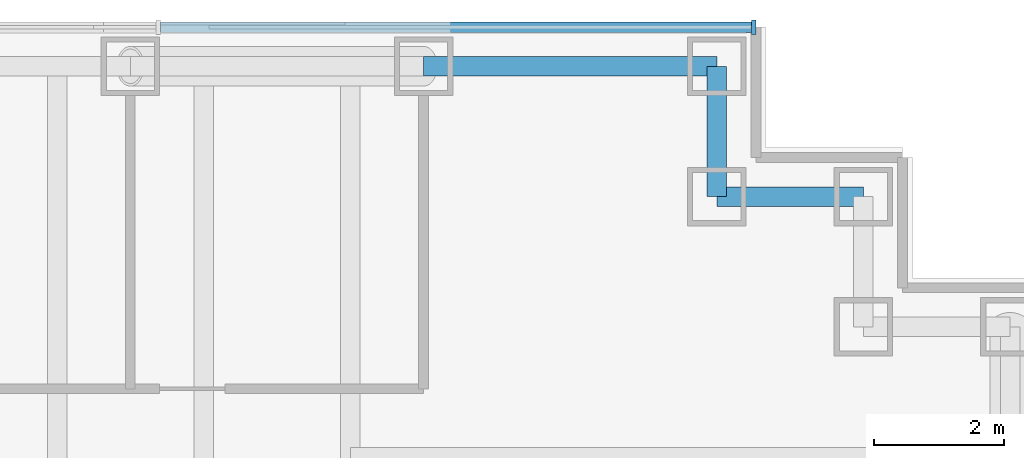
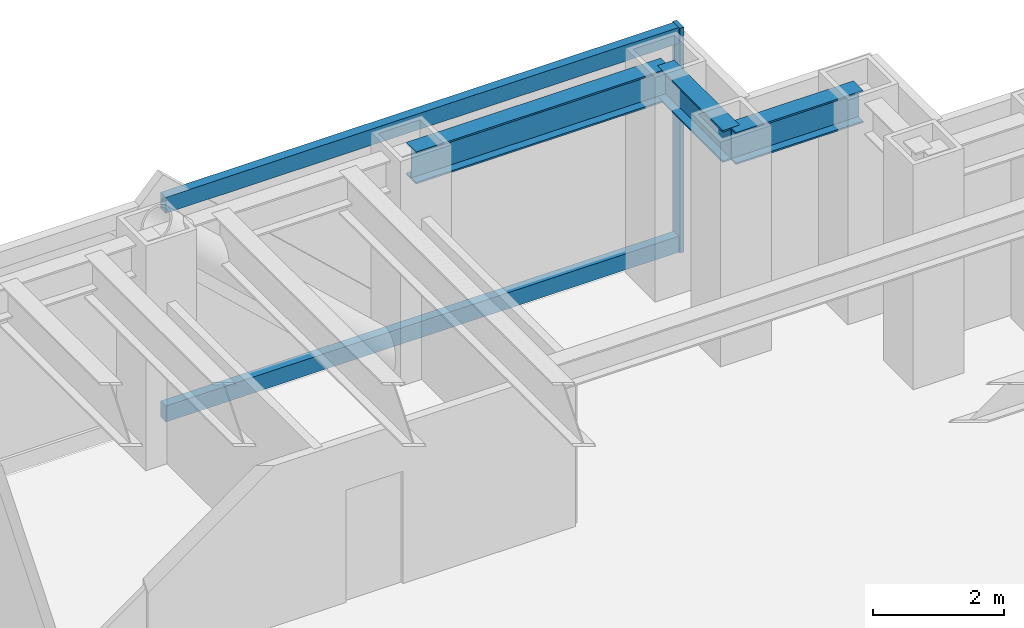
# One storey, part 9 of 16: 3 beams, 3 members, 1 element without a shape of its own.
"""IFC4 building model written with IfcOpenShell, lengths in metres."""

import ifcopenshell
import ifcopenshell.guid

model = None  # the IFC model being written
_history = None  # IfcOwnerHistory: only IFC2X3 demands one
_inside = {}  # id of a spatial element -> (the spatial element, [elements in it])
_under = {}  # id of a project, library or spatial element -> (it, [spatial elements below it])
_declared = {}  # id of a project -> (the project, [libraries it declares])
_typed = {}  # id of a type object -> (the type object, [elements of that type])
_made_of = {}  # id of a material, layer set ... -> (it, [elements and type objects made of it])


def new_model(schema):
    """Start an empty IFC model of exactly this schema.

    Asked for "IFC4X3", IfcOpenShell would pick the latest addendum, in which some entities
    have other attributes; the version numbers below select the first issue.
    IFC2X3 requires an IfcOwnerHistory on every rooted entity: one is made here for all.
    """
    global model, _history
    if schema == "IFC4X3":
        model = ifcopenshell.file(schema_version=(4, 3, 0, 0))
    else:
        model = ifcopenshell.file(schema=schema)
    _inside.clear()
    _under.clear()
    _declared.clear()
    _typed.clear()
    _made_of.clear()
    _history = None
    if model.schema == "IFC2X3":
        org = make("IfcOrganization", Name="unknown")
        user = make(
            "IfcPersonAndOrganization",
            ThePerson=make("IfcPerson", FamilyName="unknown"),
            TheOrganization=org,
        )
        app = make(
            "IfcApplication",
            ApplicationDeveloper=org,
            Version="unknown",
            ApplicationFullName="unknown",
            ApplicationIdentifier="unknown",
        )
        _history = make(
            "IfcOwnerHistory",
            OwningUser=user,
            OwningApplication=app,
            ChangeAction="ADDED",
            CreationDate=0,
        )
    return model


def make(cls, **values):
    """One entity of the class cls with the attributes given. An attribute that is None is left unset."""
    return model.create_entity(
        cls, **{name: value for name, value in values.items() if value is not None}
    )


def rooted(cls, **values):
    """An entity with a GlobalId (a new one), such as an element, a storey or a relation."""
    return make(cls, GlobalId=ifcopenshell.guid.new(), OwnerHistory=_history, **values)


def si_unit(unit_type, name, prefix=None):
    """IfcSIUnit, for example si_unit("LENGTHUNIT", "METRE", prefix="MILLI")."""
    return make("IfcSIUnit", UnitType=unit_type, Prefix=prefix, Name=name)


def assignment(units):
    """IfcUnitAssignment: the units of a project."""
    return None if units is None else make("IfcUnitAssignment", Units=units)


def point(xyz):
    """IfcCartesianPoint."""
    return None if xyz is None else make("IfcCartesianPoint", Coordinates=xyz)


def direction(xyz):
    """IfcDirection."""
    return None if xyz is None else make("IfcDirection", DirectionRatios=xyz)


def frame(location, z_axis=None, x_axis=None):
    """IfcAxis2Placement3D, a coordinate frame: its origin and axes. An axis left out is left unset."""
    return make(
        "IfcAxis2Placement3D",
        Location=point(location),
        Axis=direction(z_axis),
        RefDirection=direction(x_axis),
    )


def frame_2d(location, x_axis=None):
    """IfcAxis2Placement2D, a coordinate frame in the plane: its origin and x axis."""
    return make(
        "IfcAxis2Placement2D", Location=point(location), RefDirection=direction(x_axis)
    )


def origin():
    """The frame at (0, 0, 0) with its axes left unset."""
    return frame((0.0, 0.0, 0.0))


def origin_2d():
    """The frame at (0, 0) in the plane with its x axis left unset."""
    return frame_2d((0.0, 0.0))


def place(relative_to, where):
    """IfcLocalPlacement: puts the frame where relative to a parent placement (None: the world)."""
    return make(
        "IfcLocalPlacement", PlacementRelTo=relative_to, RelativePlacement=where
    )


def context(
    kind, dimensions, precision=None, world=None, true_north=None, identifier=None
):
    """IfcGeometricRepresentationContext, for example the 3D "Model" context."""
    return make(
        "IfcGeometricRepresentationContext",
        ContextIdentifier=identifier,
        ContextType=kind,
        CoordinateSpaceDimension=dimensions,
        Precision=precision,
        WorldCoordinateSystem=world,
        TrueNorth=true_north,
    )


def subcontext(parent, identifier, kind, view, scale=None):
    """IfcGeometricRepresentationSubContext, for example "Body" below "Model"."""
    return make(
        "IfcGeometricRepresentationSubContext",
        ContextIdentifier=identifier,
        ContextType=kind,
        ParentContext=parent,
        TargetScale=scale,
        TargetView=view,
    )


def project(units=None, contexts=None):
    """IfcProject with its units and contexts."""
    return rooted(
        "IfcProject",
        Name="project",
        RepresentationContexts=contexts,
        UnitsInContext=assignment(units),
    )


def spatial(cls, under=None, at=None, **own):
    """A site, building, storey or space (cls), placed at a placement, below another one or the project."""
    s = rooted(cls, ObjectPlacement=at, **own)
    if under is not None:
        _under.setdefault(under.id(), (under, []))[1].append(s)
    return s


def profile(cls, at=None, kind="AREA", **sizes):
    """A parametric profile (cls). Its sizes go by their IFC names, for example OverallWidth=200.0."""
    return make(cls, ProfileType=kind, Position=at, **sizes)


def rectangle(**sizes):
    """IfcRectangleProfileDef."""
    return profile("IfcRectangleProfileDef", **sizes)


def i_section(**sizes):
    """IfcIShapeProfileDef."""
    return profile("IfcIShapeProfileDef", **sizes)


def extrude(swept, where, along, depth):
    """IfcExtrudedAreaSolid: the profile swept, set in the frame where, extruded along a direction by depth."""
    return make(
        "IfcExtrudedAreaSolid",
        SweptArea=swept,
        Position=where,
        ExtrudedDirection=direction(along),
        Depth=depth,
    )


def shape(context_of_items, identifier, shape_type, items):
    """IfcShapeRepresentation: the items that make up one representation, for example the "Body"."""
    return make(
        "IfcShapeRepresentation",
        ContextOfItems=context_of_items,
        RepresentationIdentifier=identifier,
        RepresentationType=shape_type,
        Items=items,
    )


def material(Name=None, Category=None):
    """IfcMaterial."""
    return make("IfcMaterial", Name=Name, Category=Category)


def material_profile(
    of_material, cross_section, Name=None, Category=None, Priority=None
):
    """IfcMaterialProfile: a cross section and its material."""
    return make(
        "IfcMaterialProfile",
        Name=Name,
        Material=of_material,
        Profile=cross_section,
        Priority=Priority,
        Category=Category,
    )


def profile_set(profiles, Name=None, composite=None):
    """IfcMaterialProfileSet."""
    return make(
        "IfcMaterialProfileSet",
        Name=Name,
        MaterialProfiles=profiles,
        CompositeProfile=composite,
    )


def made_of(thing, what):
    """Note that an element or type object is made of a material, layer set ...; save() writes the relation."""
    if what is not None:
        _made_of.setdefault(what.id(), (what, []))[1].append(thing)
    return thing


def type_object(cls, material=None, **own):
    """A type object (cls), such as IfcWallType, which elements share."""
    return made_of(rooted(cls, **own), material)


def element(
    cls,
    number,
    at=None,
    inside=None,
    cuts=None,
    type_object=None,
    material=None,
    context=None,
    identifier="Body",
    shape_type=None,
    held_by="IfcProductDefinitionShape",
    body=None,
    shapes=None,
    **own,
):
    """One element of the class cls, such as IfcWall. Its Tag is "e" and its number.

    at: its placement. inside: the storey or other place that contains it. cuts: it is an
    opening in that element (IfcRelVoidsElement). A single representation is given by context,
    identifier, shape_type and body (its items); several are given by shapes. held_by: the class
    of the entity that holds the representations. save() writes the other relations.
    """
    e = rooted(cls, Tag="e%d" % number, ObjectPlacement=at, **own)
    if body is not None:
        shapes = [shape(context, identifier, shape_type, body)]
    if shapes is not None:
        e.Representation = make(held_by, Representations=shapes)
    if inside is not None:
        _inside.setdefault(inside.id(), (inside, []))[1].append(e)
    if cuts is not None:
        rooted(
            "IfcRelVoidsElement", RelatingBuildingElement=cuts, RelatedOpeningElement=e
        )
    if type_object is not None:
        _typed.setdefault(type_object.id(), (type_object, []))[1].append(e)
    return made_of(e, material)


def aggregate(whole, parts):
    """IfcRelAggregates: a whole, such as a stair, and the parts it consists of."""
    return rooted("IfcRelAggregates", RelatingObject=whole, RelatedObjects=parts)


def save(model, path):
    """Write the relations noted so far, then the file.

    IfcRelAggregates (storeys below a building ...), IfcRelContainedInSpatialStructure (elements
    in a storey), IfcRelDefinesByType, IfcRelAssociatesMaterial and IfcRelDeclares: one each for
    every whole, place, type object, material and project.
    """
    for whole, parts in _under.values():
        aggregate(whole, parts)
    for where, things in _inside.values():
        rooted(
            "IfcRelContainedInSpatialStructure",
            RelatedElements=things,
            RelatingStructure=where,
        )
    for kind, things in _typed.values():
        rooted("IfcRelDefinesByType", RelatedObjects=things, RelatingType=kind)
    for what, things in _made_of.values():
        rooted("IfcRelAssociatesMaterial", RelatedObjects=things, RelatingMaterial=what)
    for by, libraries in _declared.values():
        rooted("IfcRelDeclares", RelatingContext=by, RelatedDefinitions=libraries)
    model.write(path)


model = new_model("IFC4")

# Units and contexts
model_context = context("Model", 3, precision=1e-05, world=origin(), true_north=direction((0.0, 1.0)))
body_context = subcontext(model_context, "Body", "Model", "MODEL_VIEW")
ifc_project = project(units=[si_unit("LENGTHUNIT", "METRE"), si_unit("AREAUNIT", "SQUARE_METRE"), si_unit("VOLUMEUNIT", "CUBIC_METRE"), si_unit("PLANEANGLEUNIT", "RADIAN"), si_unit("MASSUNIT", "GRAM", prefix="KILO")], contexts=[model_context])

# Site, building, storey
site_placement = place(None, origin())
site = spatial("IfcSite", under=ifc_project, at=site_placement, CompositionType="ELEMENT")
building_placement = place(site_placement, origin())
building = spatial("IfcBuilding", under=site, at=building_placement, Name="Rheinbord Bourse Tower", CompositionType="ELEMENT")
storey_placement = place(building_placement, frame((0.0, 0.0, 219.39990234375)))
storey = spatial("IfcBuildingStorey", under=building, at=storey_placement, Name="L49", CompositionType="ELEMENT", Elevation=219.39990234375)

# Curtain wall, members
ifc_material_1 = material(Name="Dark glass and black aluminium", Category="aluminium")
curtain_wall_type = type_object("IfcCurtainWallType", Name="CW2 DARK GLASS CURTAIN WALL", PredefinedType="USERDEFINED", material=ifc_material_1)
curtain_wall_placement = place(storey_placement, origin())
curtain_wall = element("IfcCurtainWall", 1, at=curtain_wall_placement, inside=storey, type_object=curtain_wall_type, Name="Curtain wall CW2 N L49", ObjectType="UNITISED CURTAIN WALL", PredefinedType="USERDEFINED")
ifc_material_2 = material(Name="Black anodised aluminium", Category="aluminium")
ifc_material_profile_1 = material_profile(ifc_material_2, rectangle(XDim=0.219970703125, YDim=0.070068359375, at=origin_2d()), Name="CW2 MULLION 70x220")
ifc_profile_set_1 = profile_set([ifc_material_profile_1], Name="Black anodised aluminium")
member_type_1 = type_object("IfcMemberType", Name="CW2 BLACK MULLION", PredefinedType="MULLION", material=ifc_profile_set_1)
member_1_placement = place(storey_placement, frame((68.06494140625, 44.60009765625, 0.0), z_axis=(0.0, 0.0, 1.0), x_axis=(0.0, -1.0, 0.0)))
member_1 = element("IfcMember", 2, at=member_1_placement, type_object=member_type_1, Name="CW2 mullion 1", PredefinedType="MULLION", context=body_context, shape_type="SweptSolid", body=[
    extrude(rectangle(XDim=0.219970703125, YDim=0.070068359375, at=origin_2d()), origin(), (0.0, 0.0, 1.0), 4.2001953125),
])
ifc_material_3 = material(Name="Black anodised aluminium", Category="aluminium")
ifc_material_profile_2 = material_profile(ifc_material_3, rectangle(XDim=0.159912109375, YDim=0.300048828125, at=origin_2d()), Name="CW2 TRANSOM 300x160")
ifc_profile_set_2 = profile_set([ifc_material_profile_2], Name="Black anodised aluminium")
member_type_2 = type_object("IfcMemberType", Name="CW2 BLACK TRANSOM", PredefinedType="USERDEFINED", material=ifc_profile_set_2)
member_2_placement = place(storey_placement, frame((68.030029296875, 44.60009765625, 0.150146484375), z_axis=(-1.0, 0.0, 0.0), x_axis=(0.0, -1.0, 0.0)))
member_2 = element("IfcMember", 3, at=member_2_placement, type_object=member_type_2, Name="CW2 transom 1.1", ObjectType="TRANSOM", PredefinedType="USERDEFINED", context=body_context, shape_type="SweptSolid", body=[
    extrude(rectangle(XDim=0.159912109375, YDim=0.300048828125, at=origin_2d()), origin(), (0.0, 0.0, 1.0), 9.06640625),
])
member_3_placement = place(storey_placement, frame((68.030029296875, 44.60009765625, 4.050048828125), z_axis=(-1.0, 0.0, 0.0), x_axis=(0.0, -1.0, 0.0)))
member_3 = element("IfcMember", 4, at=member_3_placement, type_object=member_type_2, Name="CW2 transom 1.2", ObjectType="TRANSOM", PredefinedType="USERDEFINED", context=body_context, shape_type="SweptSolid", body=[
    extrude(rectangle(XDim=0.159912109375, YDim=0.300048828125, at=origin_2d()), origin(), (0.0, 0.0, 1.0), 9.06640625),
])
aggregate(curtain_wall, [member_1, member_2, member_3])

# Beams
ifc_material_4 = material(Name="Steel S460", Category="steel")
ifc_material_profile_3 = material_profile(ifc_material_4, i_section(OverallWidth=0.300048828125, OverallDepth=0.60009765625, WebThickness=0.015380859375, FlangeThickness=0.030029296875, at=origin_2d()), Name="HEB 600")
ifc_profile_set_3 = profile_set([ifc_material_profile_3], Name="Steel S460")
beam_type = type_object("IfcBeamType", Name="SPANDREL HEB 600", PredefinedType="SPANDREL", material=ifc_profile_set_3)
beam_1_placement = place(storey_placement, frame((69.75, 42.0, 3.739990234375), z_axis=(-1.0, 0.0, 0.0), x_axis=(0.0, -1.0, 0.0)))
element("IfcBeam", 5, at=beam_1_placement, inside=storey, type_object=beam_type, Name="Spandrel NE-C-NE-D under L50", PredefinedType="SPANDREL", context=body_context, shape_type="SweptSolid", body=[
    extrude(i_section(OverallWidth=0.300048828125, OverallDepth=0.60009765625, WebThickness=0.015380859375, FlangeThickness=0.030029296875, at=origin_2d()), origin(), (0.0, 0.0, 1.0), 2.25),
])
beam_2_placement = place(storey_placement, frame((67.5, 42.0, 3.739990234375), z_axis=(0.0, 1.0, 0.0), x_axis=(-1.0, 0.0, 0.0)))
element("IfcBeam", 6, at=beam_2_placement, inside=storey, type_object=beam_type, Name="Spandrel NE-D-NE-E under L50", PredefinedType="SPANDREL", context=body_context, shape_type="SweptSolid", body=[
    extrude(i_section(OverallWidth=0.300048828125, OverallDepth=0.60009765625, WebThickness=0.015380859375, FlangeThickness=0.030029296875, at=origin_2d()), origin(), (0.0, 0.0, 1.0), 2.0),
])
beam_3_placement = place(storey_placement, frame((67.5, 44.0, 3.739990234375), z_axis=(-1.0, 0.0, 0.0), x_axis=(0.0, -1.0, 0.0)))
element("IfcBeam", 7, at=beam_3_placement, inside=storey, type_object=beam_type, Name="Spandrel NE-E-N-63 under L50", PredefinedType="SPANDREL", context=body_context, shape_type="SweptSolid", body=[
    extrude(i_section(OverallWidth=0.300048828125, OverallDepth=0.60009765625, WebThickness=0.015380859375, FlangeThickness=0.030029296875, at=origin_2d()), origin(), (0.0, 0.0, 1.0), 4.5),
])

save(model, "model.ifc")
